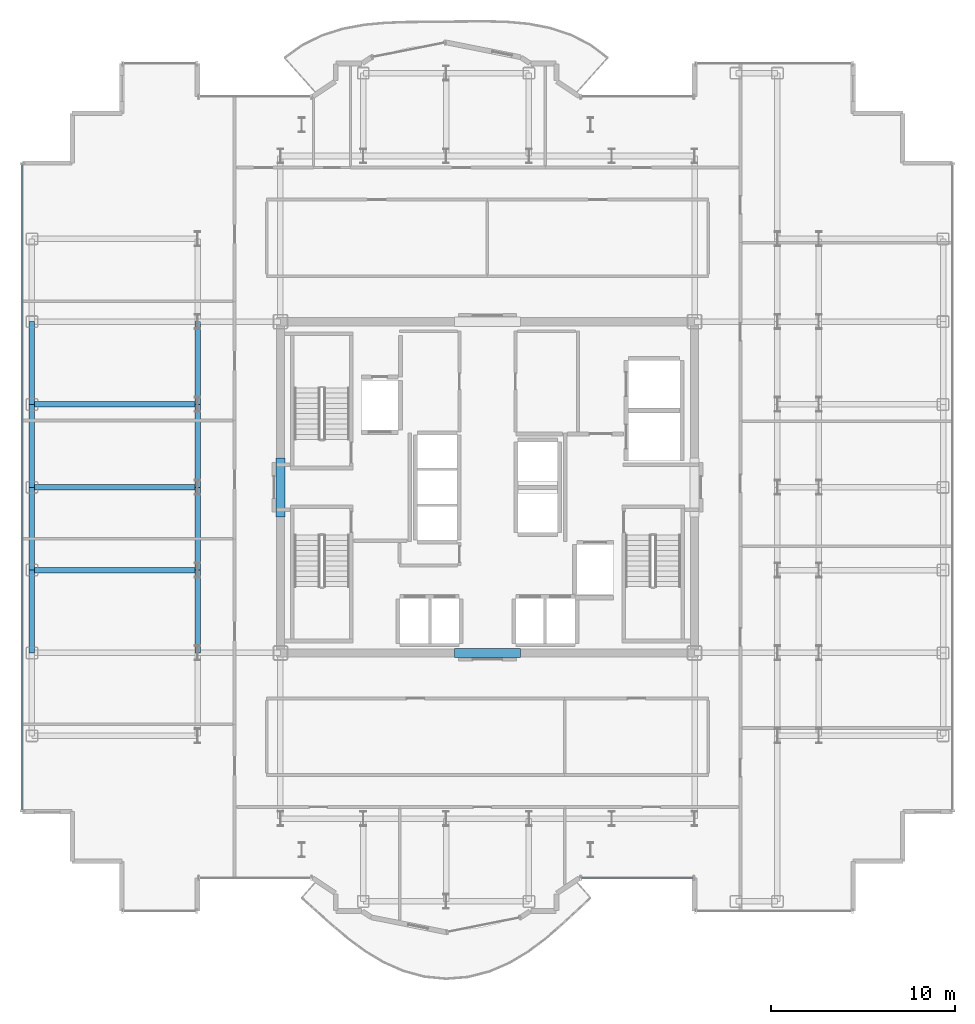
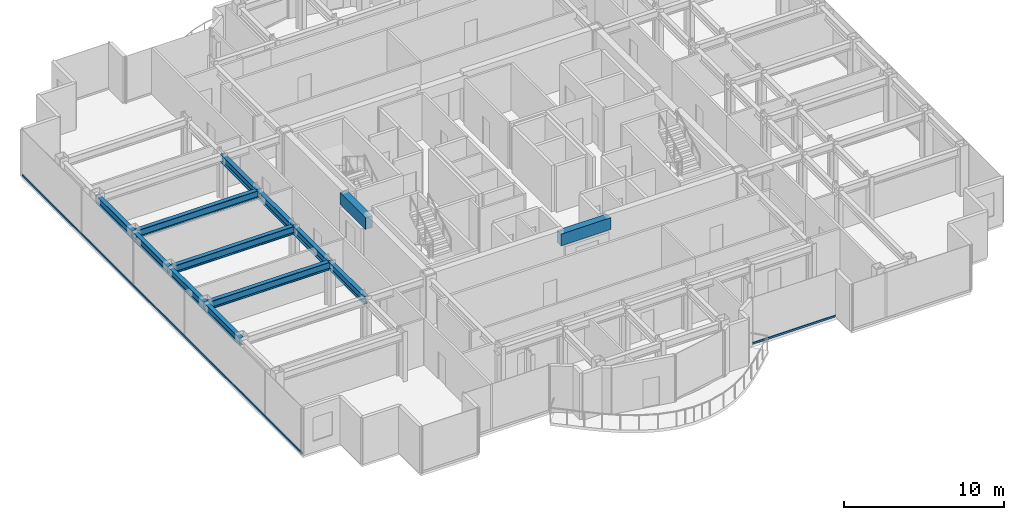
# One storey, part 4 of 20: 13 beams, 2 members, 2 elements without a shape of their own.
"""IFC4 building model written with IfcOpenShell, lengths in metres."""

from ifc_helpers import new_model, si_unit, direction, frame, origin, origin_2d, place, context, subcontext, project, spatial, rectangle, hollow_rectangle, i_section, extrude, source, transform, mapped, material, layer, layer_set, material_profile, profile_set, type_object, element, aggregate, save


model = new_model("IFC4")

# Units and contexts
model_context = context("Model", 3, precision=1e-05, world=origin(), true_north=direction((0.0, 1.0)))
body_context = subcontext(model_context, "Body", "Model", "MODEL_VIEW")
ifc_project = project(units=[si_unit("LENGTHUNIT", "METRE"), si_unit("AREAUNIT", "SQUARE_METRE"), si_unit("VOLUMEUNIT", "CUBIC_METRE"), si_unit("PLANEANGLEUNIT", "RADIAN"), si_unit("MASSUNIT", "GRAM", prefix="KILO")], contexts=[model_context])

# Site, building, storey
site_placement = place(None, origin())
site = spatial("IfcSite", under=ifc_project, at=site_placement, CompositionType="ELEMENT")
building_placement = place(site_placement, origin())
building = spatial("IfcBuilding", under=site, at=building_placement, Name="Nefas-Gora Pilgrimage Tower", CompositionType="ELEMENT")
storey_placement = place(building_placement, frame((0.0, 0.0, 225.60009765625)))
storey = spatial("IfcBuildingStorey", under=building, at=storey_placement, Name="L56", CompositionType="ELEMENT", Elevation=225.60009765625)

# Beams
ifc_material_1 = material(Name="Concrete C50/60", Category="concrete")
ifc_material_profile_1 = material_profile(ifc_material_1, rectangle(XDim=0.5, YDim=0.89990234375, at=origin_2d()), Name="RC 500x900")
ifc_profile_set_1 = profile_set([ifc_material_profile_1], Name="Concrete C50/60")
beam_type_1 = type_object("IfcBeamType", Name="BM-LIN-RC900", PredefinedType="LINTEL", material=ifc_profile_set_1)
shared_shape_1 = source(origin(), body_context, "Body", "SweptSolid", [
    extrude(rectangle(XDim=0.5, YDim=0.89990234375, at=origin_2d()), origin(), (0.0, 0.0, 1.0), 3.60009765625),
])
beam_1_placement = place(storey_placement, frame((-1.800048828125, -9.0, 3.099853515625), z_axis=(1.0, 0.0, 0.0), x_axis=(0.0, 1.0, 0.0)))
element("IfcBeam", 1, at=beam_1_placement, inside=storey, type_object=beam_type_1, Name="L56 Core Coupling Lintel Beam S", PredefinedType="LINTEL", context=body_context, shape_type="MappedRepresentation", body=[
    mapped(shared_shape_1, transform((0.0, 0.0, 0.0), x_axis=(1.0, 0.0, 0.0), y_axis=(0.0, 1.0, 0.0), z_axis=(0.0, 0.0, 1.0), scale=1.0)),
])
shared_shape_2 = source(origin(), body_context, "Body", "SweptSolid", [
    extrude(rectangle(XDim=0.5, YDim=0.89990234375, at=origin_2d()), origin(), (0.0, 0.0, 1.0), 3.2001953125),
])
beam_2_placement = place(storey_placement, frame((-11.25, -1.60009765625, 3.099853515625), z_axis=(0.0, 1.0, 0.0), x_axis=(-1.0, 0.0, 0.0)))
element("IfcBeam", 2, at=beam_2_placement, inside=storey, type_object=beam_type_1, Name="L56 Core Coupling Lintel Beam W", PredefinedType="LINTEL", context=body_context, shape_type="MappedRepresentation", body=[
    mapped(shared_shape_2, transform((0.0, 0.0, 0.0), x_axis=(1.0, 0.0, 0.0), y_axis=(0.0, 1.0, 0.0), z_axis=(0.0, 0.0, 1.0), scale=1.0)),
])
ifc_material_2 = material(Name="Steel S355", Category="steel")
ifc_material_profile_2 = material_profile(ifc_material_2, i_section(OverallWidth=0.300048828125, OverallDepth=0.60009765625, WebThickness=0.015380859375, FlangeThickness=0.030029296875, FilletRadius=0.027099609375, at=origin_2d()), Name="HEB 600")
ifc_profile_set_2 = profile_set([ifc_material_profile_2], Name="Steel S355")
beam_type_2 = type_object("IfcBeamType", Name="BM-SPN-HEB450", PredefinedType="SPANDREL", material=ifc_profile_set_2)
shared_shape_3 = source(origin(), body_context, "Body", "SweptSolid", [
    extrude(i_section(OverallWidth=0.300048828125, OverallDepth=0.60009765625, WebThickness=0.015380859375, FlangeThickness=0.030029296875, FilletRadius=0.027099609375, at=origin_2d()), origin(), (0.0, 0.0, 1.0), 4.5),
])
for number, where, z_axis, x_axis, name in (
    (3, (-24.75, -9.0, 3.25), (0.0, 1.0, 0.0), (-1.0, 0.0, 0.0), "L56 SP-03 beam"),
    (4, (-24.75, -4.5, 3.25), (0.0, 1.0, 0.0), (-1.0, 0.0, 0.0), "L56 SP-03 beam"),
    (5, (-24.75, 0.0, 3.25), (0.0, 1.0, 0.0), (-1.0, 0.0, 0.0), "L56 SP-03 beam"),
    (6, (-24.75, 4.5, 3.25), (0.0, 1.0, 0.0), (-1.0, 0.0, 0.0), "L56 SP-03 beam"),
):
    element("IfcBeam", number, at=place(storey_placement, frame(where, z_axis=z_axis, x_axis=x_axis)), inside=storey, type_object=beam_type_2, Name=name, PredefinedType="SPANDREL", context=body_context, shape_type="MappedRepresentation", body=[
        mapped(shared_shape_3, transform((0.0, 0.0, 0.0), x_axis=(1.0, 0.0, 0.0), y_axis=(0.0, 1.0, 0.0), z_axis=(0.0, 0.0, 1.0), scale=1.0)),
    ])
ifc_material_profile_3 = material_profile(ifc_material_2, i_section(OverallWidth=0.300048828125, OverallDepth=0.60009765625, WebThickness=0.015380859375, FlangeThickness=0.030029296875, FilletRadius=0.027099609375, at=origin_2d()), Name="HEB 600")
ifc_profile_set_3 = profile_set([ifc_material_profile_3], Name="Steel S355")
beam_type_3 = type_object("IfcBeamType", Name="BM-GIR-HEB600", PredefinedType="BEAM", material=ifc_profile_set_3)
shared_shape_4 = source(origin(), body_context, "Body", "SweptSolid", [
    extrude(i_section(OverallWidth=0.300048828125, OverallDepth=0.60009765625, WebThickness=0.015380859375, FlangeThickness=0.030029296875, FilletRadius=0.027099609375, at=origin_2d()), origin(), (0.0, 0.0, 1.0), 9.0),
])
for number, where, z_axis, x_axis, name in (
    (7, (-24.75, -4.5, 3.25), (1.0, 0.0, 0.0), (0.0, 1.0, 0.0), "L56 G-04 beam"),
    (8, (-24.75, 0.0, 3.25), (1.0, 0.0, 0.0), (0.0, 1.0, 0.0), "L56 G-04 beam"),
    (9, (-24.75, 4.5, 3.25), (1.0, 0.0, 0.0), (0.0, 1.0, 0.0), "L56 G-04 beam"),
):
    element("IfcBeam", number, at=place(storey_placement, frame(where, z_axis=z_axis, x_axis=x_axis)), inside=storey, type_object=beam_type_3, Name=name, PredefinedType="BEAM", context=body_context, shape_type="MappedRepresentation", body=[
        mapped(shared_shape_4, transform((0.0, 0.0, 0.0), x_axis=(1.0, 0.0, 0.0), y_axis=(0.0, 1.0, 0.0), z_axis=(0.0, 0.0, 1.0), scale=1.0)),
    ])
shared_shape_5 = source(origin(), body_context, "Body", "SweptSolid", [
    extrude(i_section(OverallWidth=0.300048828125, OverallDepth=0.60009765625, WebThickness=0.015380859375, FlangeThickness=0.030029296875, FilletRadius=0.027099609375, at=origin_2d()), origin(), (0.0, 0.0, 1.0), 4.5),
])
for number, where, z_axis, x_axis, name in (
    (10, (-15.75, -9.0, 3.25), (0.0, 1.0, 0.0), (-1.0, 0.0, 0.0), "L56 G-04 beam"),
    (11, (-15.75, -4.5, 3.25), (0.0, 1.0, 0.0), (-1.0, 0.0, 0.0), "L56 G-04 beam"),
    (12, (-15.75, 0.0, 3.25), (0.0, 1.0, 0.0), (-1.0, 0.0, 0.0), "L56 G-04 beam"),
    (13, (-15.75, 4.5, 3.25), (0.0, 1.0, 0.0), (-1.0, 0.0, 0.0), "L56 G-04 beam"),
):
    element("IfcBeam", number, at=place(storey_placement, frame(where, z_axis=z_axis, x_axis=x_axis)), inside=storey, type_object=beam_type_3, Name=name, PredefinedType="BEAM", context=body_context, shape_type="MappedRepresentation", body=[
        mapped(shared_shape_5, transform((0.0, 0.0, 0.0), x_axis=(1.0, 0.0, 0.0), y_axis=(0.0, 1.0, 0.0), z_axis=(0.0, 0.0, 1.0), scale=1.0)),
    ])

# Curtain wall, member
ifc_material_3 = material(Name="Dark ceramic-fritted solar-control aluminium-glass curtain wall", Category="aluminium")
ifc_layer_1 = layer(ifc_material_3, 0.219970703125)
ifc_layer_set_1 = layer_set([ifc_layer_1], Name="Dark ceramic-fritted solar-control aluminium-glass curtain wall")
curtain_wall_type_1 = type_object("IfcCurtainWallType", Name="CW-SYS-5", PredefinedType="NOTDEFINED", material=ifc_layer_set_1)
curtain_wall_1_placement = place(storey_placement, origin())
curtain_wall_1 = element("IfcCurtainWall", 14, at=curtain_wall_1_placement, inside=storey, type_object=curtain_wall_type_1, Name="L56 Unitised Curtain Wall CW5", PredefinedType="NOTDEFINED")
ifc_material_4 = material(Name="Anodised architectural aluminium", Category="aluminium")
ifc_material_profile_4 = material_profile(ifc_material_4, hollow_rectangle(XDim=0.080078125, YDim=0.159912109375, WallThickness=0.00439453125, InnerFilletRadius=0.00439453125, OuterFilletRadius=0.009033203125, at=origin_2d()), Name="ALU TRANSOM 80x160")
ifc_profile_set_4 = profile_set([ifc_material_profile_4], Name="Anodised architectural aluminium")
member_type_1 = type_object("IfcMemberType", Name="CWM-TRN-5", PredefinedType="USERDEFINED", material=ifc_profile_set_4)
shared_shape_6 = source(origin(), body_context, "Body", "SweptSolid", [
    extrude(hollow_rectangle(XDim=0.080078125, YDim=0.159912109375, WallThickness=0.00439453125, InnerFilletRadius=0.00439453125, OuterFilletRadius=0.009033203125, at=origin_2d()), origin(), (0.0, 0.0, 1.0), 6.052001953125),
])
member_1_placement = place(storey_placement, frame((5.10791015625, -21.219970703125, 0.0498046875), z_axis=(1.0, 0.0, 0.0), x_axis=(0.0, 1.0, 0.0)))
member_1 = element("IfcMember", 15, at=member_1_placement, type_object=member_type_1, Name="CW5 Spandrel Transom", ObjectType="TRANSOM", PredefinedType="USERDEFINED", context=body_context, shape_type="MappedRepresentation", body=[
    mapped(shared_shape_6, transform((0.0, 0.0, 0.0), x_axis=(1.0, 0.0, 0.0), y_axis=(0.0, 1.0, 0.0), z_axis=(0.0, 0.0, 1.0), scale=1.0)),
])
aggregate(curtain_wall_1, [member_1])

ifc_layer_2 = layer(ifc_material_3, 0.219970703125)
ifc_layer_set_2 = layer_set([ifc_layer_2], Name="Dark ceramic-fritted solar-control aluminium-glass curtain wall")
curtain_wall_type_2 = type_object("IfcCurtainWallType", Name="CW-SYS-3", PredefinedType="NOTDEFINED", material=ifc_layer_set_2)
curtain_wall_2_placement = place(storey_placement, origin())
curtain_wall_2 = element("IfcCurtainWall", 16, at=curtain_wall_2_placement, inside=storey, type_object=curtain_wall_type_2, Name="L56 Unitised Curtain Wall CW3", PredefinedType="NOTDEFINED")
ifc_material_profile_5 = material_profile(ifc_material_4, hollow_rectangle(XDim=0.080078125, YDim=0.159912109375, WallThickness=0.00439453125, InnerFilletRadius=0.00439453125, OuterFilletRadius=0.009033203125, at=origin_2d()), Name="ALU TRANSOM 80x160")
ifc_profile_set_5 = profile_set([ifc_material_profile_5], Name="Anodised architectural aluminium")
member_type_2 = type_object("IfcMemberType", Name="CWM-TRN-3", PredefinedType="USERDEFINED", material=ifc_profile_set_5)
shared_shape_7 = source(origin(), body_context, "Body", "SweptSolid", [
    extrude(hollow_rectangle(XDim=0.080078125, YDim=0.159912109375, WallThickness=0.00439453125, InnerFilletRadius=0.00439453125, OuterFilletRadius=0.009033203125, at=origin_2d()), origin(), (0.0, 0.0, 1.0), 35.06005859375),
])
member_2_placement = place(storey_placement, frame((-25.27001953125, 17.530029296875, 0.0498046875), z_axis=(0.0, -1.0, 0.0), x_axis=(1.0, 0.0, 0.0)))
member_2 = element("IfcMember", 17, at=member_2_placement, type_object=member_type_2, Name="CW3 Spandrel Transom", ObjectType="TRANSOM", PredefinedType="USERDEFINED", context=body_context, shape_type="MappedRepresentation", body=[
    mapped(shared_shape_7, transform((0.0, 0.0, 0.0), x_axis=(1.0, 0.0, 0.0), y_axis=(0.0, 1.0, 0.0), z_axis=(0.0, 0.0, 1.0), scale=1.0)),
])
aggregate(curtain_wall_2, [member_2])

save(model, "model.ifc")
